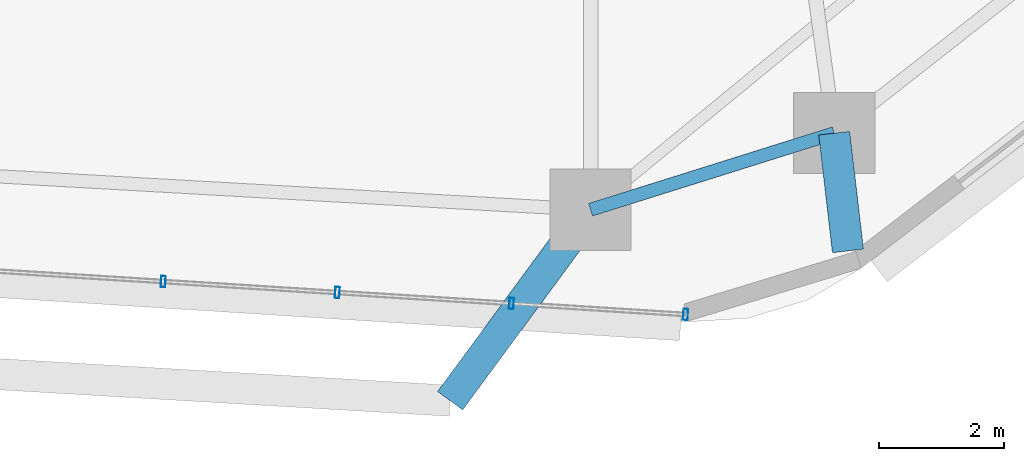
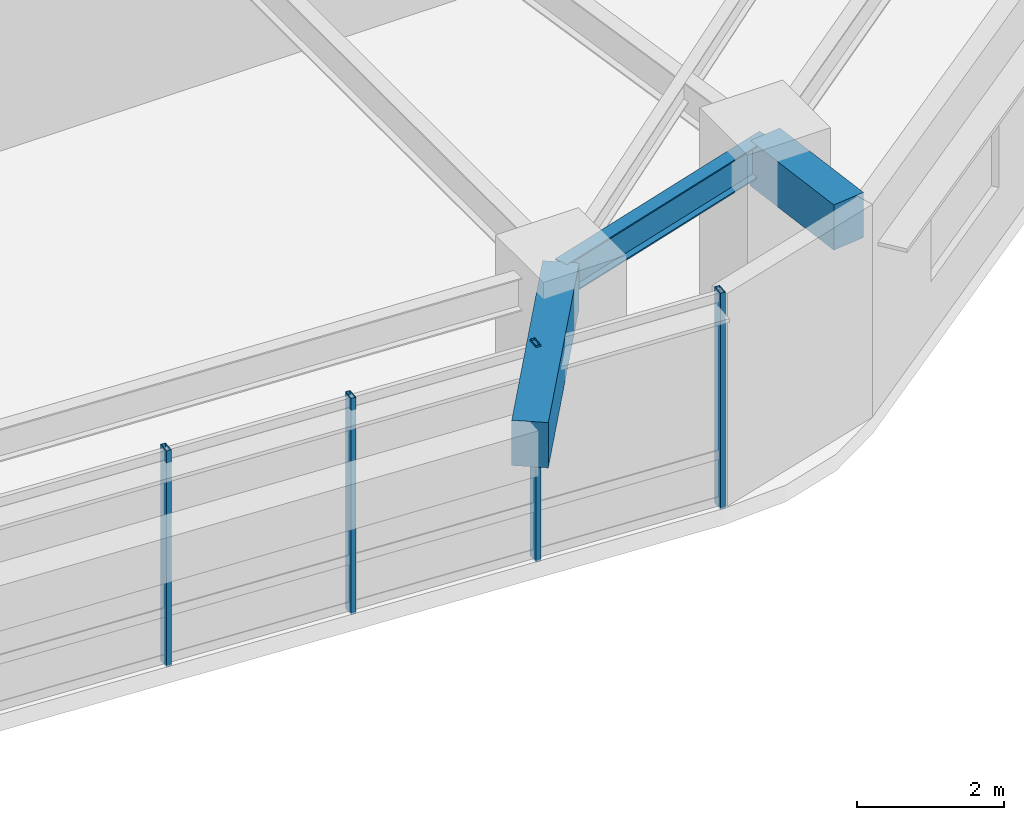
# One storey, part 5 of 13: 4 members, 3 beams, 1 element without a shape of its own.
"""IFC4 building model written with IfcOpenShell, lengths in metres."""

from ifc_helpers import new_model, si_unit, direction, frame, origin, origin_2d, place, context, subcontext, project, spatial, rectangle, hollow_rectangle, i_section, extrude, material, material_profile, profile_set, type_object, element, aggregate, save


model = new_model("IFC4")

# Units and contexts
model_context = context("Model", 3, precision=1e-05, world=origin(), true_north=direction((0.0, 1.0)))
body_context = subcontext(model_context, "Body", "Model", "MODEL_VIEW")
ifc_project = project(units=[si_unit("LENGTHUNIT", "METRE"), si_unit("AREAUNIT", "SQUARE_METRE"), si_unit("VOLUMEUNIT", "CUBIC_METRE"), si_unit("PLANEANGLEUNIT", "RADIAN"), si_unit("MASSUNIT", "GRAM", prefix="KILO")], contexts=[model_context])

# Site, building, storey
site_placement = place(None, origin())
site = spatial("IfcSite", under=ifc_project, at=site_placement, CompositionType="ELEMENT")
building_placement = place(site_placement, origin())
building = spatial("IfcBuilding", under=site, at=building_placement, Name="Zulverin Broadcast Headquarters", CompositionType="ELEMENT")
storey_placement = place(building_placement, frame((0.0, 0.0, 47.800048828125)))
storey = spatial("IfcBuildingStorey", under=building, at=storey_placement, Name="L11", CompositionType="ELEMENT", Elevation=47.800048828125)

# Beams
ifc_material_1 = material(Name="Concrete C40/50", Category="concrete")
ifc_material_profile_1 = material_profile(ifc_material_1, rectangle(XDim=0.5, YDim=0.75, at=origin_2d()), Name="Concrete C40/50", Category="concrete")
ifc_profile_set_1 = profile_set([ifc_material_profile_1], Name="Concrete C40/50")
beam_type_1 = type_object("IfcBeamType", Name="BM-RC-500x750", PredefinedType="BEAM", material=ifc_profile_set_1)
beam_1_placement = place(storey_placement, frame((50.08056640625, 4.22509765625, 3.14990234375), z_axis=(0.115916621896, -0.99325894749, 0.0), x_axis=(0.99325894749, 0.115916621896, 0.0)))
element("IfcBeam", 1, at=beam_1_placement, inside=storey, type_object=beam_type_1, Name="L12 Plate Overhang Back-Spanned Beam OVR-03", PredefinedType="BEAM", context=body_context, shape_type="SweptSolid", body=[
    extrude(rectangle(XDim=0.5, YDim=0.75, at=origin_2d()), origin(), (0.0, 0.0, 1.0), 1.899658203125),
])
beam_2_placement = place(storey_placement, frame((46.175048828125, 2.997802734375, 3.14990234375), z_axis=(-0.592479980496, -0.805585174088, 0.0), x_axis=(0.805585174088, -0.592479980496, 0.0)))
element("IfcBeam", 2, at=beam_2_placement, inside=storey, type_object=beam_type_1, Name="L12 Balcony Column-Framed Cantilever BAL_S-2", PredefinedType="BEAM", context=body_context, shape_type="SweptSolid", body=[
    extrude(rectangle(XDim=0.5, YDim=0.75, at=origin_2d()), origin(), (0.0, 0.0, 1.0), 3.800048828125),
])
ifc_material_2 = material(Name="Structural steel S355JR", Category="steel")
ifc_material_profile_2 = material_profile(ifc_material_2, i_section(OverallWidth=0.2119140625, OverallDepth=0.54443359375, WebThickness=0.0126953125, FlangeThickness=0.021240234375, at=origin_2d()), Name="Structural steel S355JR", Category="steel")
ifc_profile_set_2 = profile_set([ifc_material_profile_2], Name="Structural steel S355JR")
beam_type_2 = type_object("IfcBeamType", Name="BM-UB-533", PredefinedType="SPANDREL", material=ifc_profile_set_2)
beam_3_placement = place(storey_placement, frame((46.175048828125, 2.997802734375, 3.252685546875), z_axis=(0.954004438448, 0.299792480595, 0.0), x_axis=(-0.299792480595, 0.954004438448, 0.0)))
element("IfcBeam", 3, at=beam_3_placement, inside=storey, type_object=beam_type_2, Name="L11 Perimeter Spandrel Beam SP-02", PredefinedType="SPANDREL", context=body_context, shape_type="SweptSolid", body=[
    extrude(i_section(OverallWidth=0.2119140625, OverallDepth=0.54443359375, WebThickness=0.0126953125, FlangeThickness=0.021240234375, at=origin_2d()), origin(), (0.0, 0.0, 1.0), 4.09375),
])

# Curtain wall, members
ifc_material_3 = material(Name="Low-zone ribbon unitised curtain wall", Category="aluminium")
curtain_wall_type = type_object("IfcCurtainWallType", Name="CW-TWR-LOW", PredefinedType="USERDEFINED", material=ifc_material_3)
curtain_wall_placement = place(storey_placement, origin())
curtain_wall = element("IfcCurtainWall", 4, at=curtain_wall_placement, inside=storey, type_object=curtain_wall_type, Name="L11 Unitised Curtain Wall CW-L11-E1", ObjectType="UNITISED CURTAIN WALL", PredefinedType="USERDEFINED")
ifc_material_4 = material(Name="Anodized pale-metal aluminium alloy 6063-T6", Category="aluminium")
ifc_material_profile_3 = material_profile(ifc_material_4, hollow_rectangle(XDim=0.074951171875, YDim=0.179931640625, WallThickness=0.0048828125, at=origin_2d()), Name="Anodized pale-metal aluminium alloy 6063-T6", Category="aluminium")
ifc_profile_set_3 = profile_set([ifc_material_profile_3], Name="Anodized pale-metal aluminium alloy 6063-T6")
member_type = type_object("IfcMemberType", Name="CW-MUL-180", PredefinedType="MULLION", material=ifc_profile_set_3)
member_1_placement = place(storey_placement, frame((39.32470703125, 1.846923828125, -0.030029296875), z_axis=(0.0, 0.0, 1.0), x_axis=(0.998017182581, -0.062942062821, 0.0)))
member_1 = element("IfcMember", 5, at=member_1_placement, type_object=member_type, Name="CW-L11-E1 Mullion 04", PredefinedType="MULLION", context=body_context, shape_type="SweptSolid", body=[
    extrude(hollow_rectangle(XDim=0.074951171875, YDim=0.179931640625, WallThickness=0.0048828125, at=origin_2d()), origin(), (0.0, 0.0, 1.0), 3.5849609375),
])
member_2_placement = place(storey_placement, frame((42.11572265625, 1.6708984375, -0.030029296875), z_axis=(0.0, 0.0, 1.0), x_axis=(0.998017182581, -0.062942062821, 0.0)))
member_2 = element("IfcMember", 6, at=member_2_placement, type_object=member_type, Name="CW-L11-E1 Mullion 05", PredefinedType="MULLION", context=body_context, shape_type="SweptSolid", body=[
    extrude(hollow_rectangle(XDim=0.074951171875, YDim=0.179931640625, WallThickness=0.0048828125, at=origin_2d()), origin(), (0.0, 0.0, 1.0), 3.5849609375),
])
member_3_placement = place(storey_placement, frame((44.906982421875, 1.4951171875, -0.030029296875), z_axis=(0.0, 0.0, 1.0), x_axis=(0.998017182581, -0.062942062821, 0.0)))
member_3 = element("IfcMember", 7, at=member_3_placement, type_object=member_type, Name="CW-L11-E1 Mullion 06", PredefinedType="MULLION", context=body_context, shape_type="SweptSolid", body=[
    extrude(hollow_rectangle(XDim=0.074951171875, YDim=0.179931640625, WallThickness=0.0048828125, at=origin_2d()), origin(), (0.0, 0.0, 1.0), 3.5849609375),
])
member_4_placement = place(storey_placement, frame((47.6982421875, 1.319091796875, -0.030029296875), z_axis=(0.0, 0.0, 1.0), x_axis=(0.998017182581, -0.062942062821, 0.0)))
member_4 = element("IfcMember", 8, at=member_4_placement, type_object=member_type, Name="CW-L11-E1 Mullion 07", PredefinedType="MULLION", context=body_context, shape_type="SweptSolid", body=[
    extrude(hollow_rectangle(XDim=0.074951171875, YDim=0.179931640625, WallThickness=0.0048828125, at=origin_2d()), origin(), (0.0, 0.0, 1.0), 3.5849609375),
])
aggregate(curtain_wall, [member_1, member_2, member_3, member_4])

save(model, "model.ifc")
